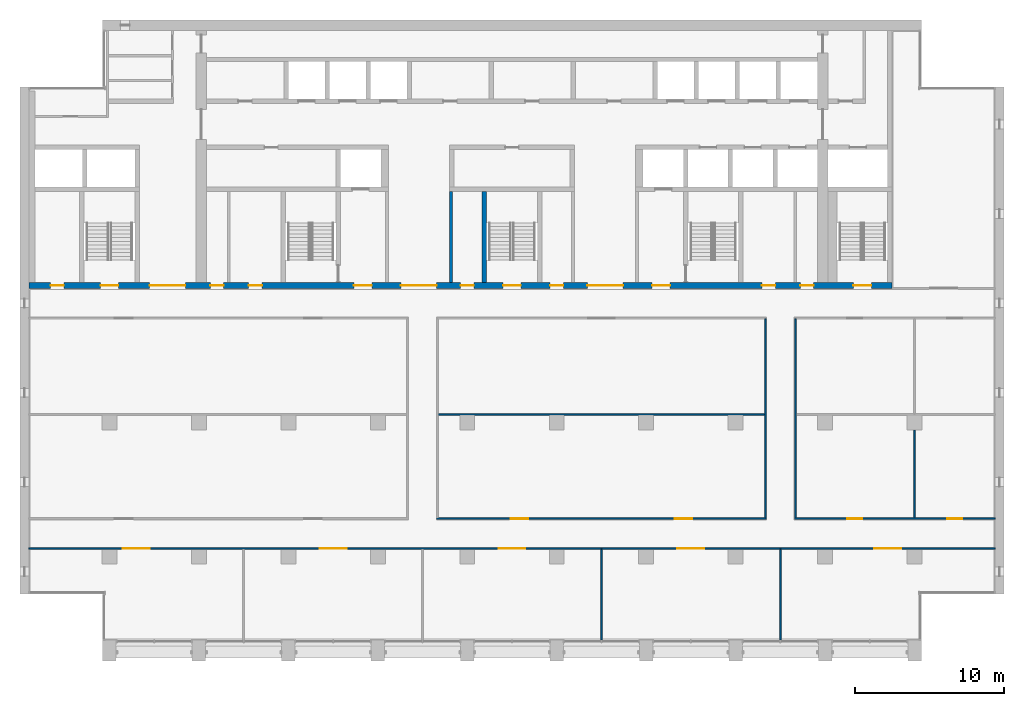
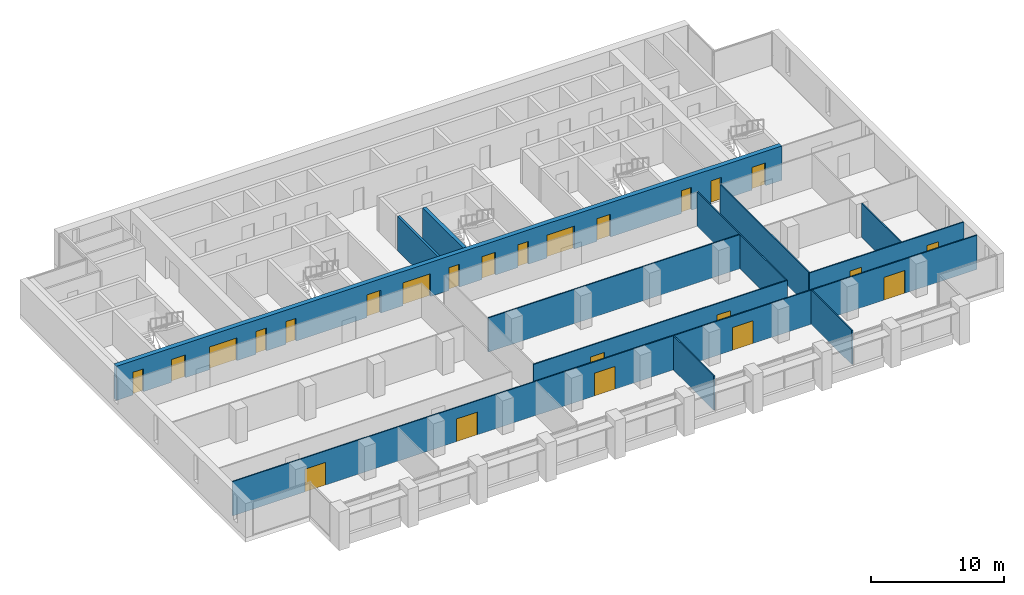
# One storey, part 9 of 16: 24 doors, 12 walls, 24 openings.
"""IFC4 building model written with IfcOpenShell, lengths in metres."""

from ifc_helpers import new_model, si_unit, direction, frame, frame_2d, origin, place, context, subcontext, project, spatial, rectangle, extrude, material, layer, layer_set, type_object, element, fill, save


model = new_model("IFC4")

# Units and contexts
model_context = context("Model", 3, precision=1e-05, world=origin(), true_north=direction((0.0, 1.0)))
body_context = subcontext(model_context, "Body", "Model", "MODEL_VIEW")
ifc_project = project(units=[si_unit("LENGTHUNIT", "METRE"), si_unit("AREAUNIT", "SQUARE_METRE"), si_unit("VOLUMEUNIT", "CUBIC_METRE"), si_unit("PLANEANGLEUNIT", "RADIAN"), si_unit("MASSUNIT", "GRAM", prefix="KILO")], contexts=[model_context])

# Site, building, storey
site_placement = place(None, origin())
site = spatial("IfcSite", under=ifc_project, at=site_placement, CompositionType="ELEMENT")
building_placement = place(site_placement, origin())
building = spatial("IfcBuilding", under=site, at=building_placement, Name="Calvaro Tower", CompositionType="ELEMENT")
storey_placement = place(building_placement, frame((0.0, 0.0, 223.0)))
storey = spatial("IfcBuildingStorey", under=building, at=storey_placement, Name="L56", CompositionType="ELEMENT", Elevation=223.0)

# Walls
ifc_material_1 = material(Name="Blockwork partition", Category="masonry")
ifc_layer_1 = layer(ifc_material_1, 0.199951171875)
ifc_layer_set_1 = layer_set([ifc_layer_1], Name="Blockwork partition")
wall_type_1 = type_object("IfcWallType", Name="Core partition 200 REI 120", PredefinedType="PARTITIONING", material=ifc_layer_set_1)
wall_1_placement = place(storey_placement, frame((34.89990234375, 28.39990234375, 0.0), z_axis=(0.0, 0.0, 1.0), x_axis=(0.0, 1.0, 0.0)))
element("IfcWall", 1, at=wall_1_placement, inside=storey, type_object=wall_type_1, Name="Core partition", PredefinedType="PARTITIONING", context=body_context, shape_type="SweptSolid", body=[
    extrude(rectangle(XDim=6.10009765625, YDim=0.199951171875, at=frame_2d((3.050048828125, 0.0))), origin(), (0.0, 0.0, 1.0), 3.14990234375),
])
ifc_material_2 = material(Name="Concrete C50/60", Category="concrete")
ifc_layer_2 = layer(ifc_material_2, 0.300048828125)
ifc_layer_set_2 = layer_set([ifc_layer_2], Name="Concrete C50/60")
wall_type_2 = type_object("IfcWallType", Name="Core wall C50/60 300", PredefinedType="SHEAR", material=ifc_layer_set_2)
wall_2_placement = place(storey_placement, frame((37.14990234375, 28.39990234375, 0.0), z_axis=(0.0, 0.0, 1.0), x_axis=(0.0, 1.0, 0.0)))
element("IfcWall", 2, at=wall_2_placement, inside=storey, type_object=wall_type_2, Name="Core wall, stair enclosure", PredefinedType="SHEAR", context=body_context, shape_type="SweptSolid", body=[
    extrude(rectangle(XDim=6.10009765625, YDim=0.300048828125, at=frame_2d((3.050048828125, 0.0))), origin(), (0.0, 0.0, 1.0), 3.14990234375),
])

# Wall, openings, doors
ifc_material_3 = material(Name="Concrete C50/60", Category="concrete")
ifc_layer_3 = layer(ifc_material_3, 0.39990234375)
ifc_layer_set_3 = layer_set([ifc_layer_3], Name="Concrete C50/60")
wall_type_3 = type_object("IfcWallType", Name="Core wall C50/60 400", PredefinedType="SHEAR", material=ifc_layer_set_3)
wall_3_placement = place(storey_placement, frame((6.60009765625, 28.199951171875, 0.0), z_axis=(0.0, 0.0, 1.0), x_axis=(1.0, 0.0, 0.0)))
wall_3 = element("IfcWall", 3, at=wall_3_placement, inside=storey, type_object=wall_type_3, Name="Core wall, front", PredefinedType="SHEAR", context=body_context, shape_type="SweptSolid", body=[
    extrude(rectangle(XDim=57.89990234375, YDim=0.39990234375, at=frame_2d((28.949951171875, 0.0))), origin(), (0.0, 0.0, 1.0), 3.14990234375),
])
opening_1_placement = place(wall_3_placement, frame((12.16259765625, 0.0, 0.0)))
opening_1 = element("IfcOpeningElement", 4, at=opening_1_placement, cuts=wall_3, Name="Opening RD9C", PredefinedType="OPENING", context=body_context, shape_type="SweptSolid", body=[
    extrude(rectangle(XDim=0.89990234375, YDim=2.10009765625, at=frame_2d((0.449951171875, 1.050048828125))), frame((0.0, 0.2099609375, 0.0), z_axis=(0.0, -1.0, 0.0), x_axis=(1.0, 0.0, 0.0)), (0.0, 0.0, 1.0), 0.419921875),
])
opening_2_placement = place(wall_3_placement, frame((14.737548828125, 0.0, 0.0)))
opening_2 = element("IfcOpeningElement", 5, at=opening_2_placement, cuts=wall_3, Name="Opening RD9E", PredefinedType="OPENING", context=body_context, shape_type="SweptSolid", body=[
    extrude(rectangle(XDim=0.89990234375, YDim=2.10009765625, at=frame_2d((0.449951171875, 1.050048828125))), frame((0.0, 0.2099609375, 0.0), z_axis=(0.0, -1.0, 0.0), x_axis=(1.0, 0.0, 0.0)), (0.0, 0.0, 1.0), 0.419921875),
])
opening_3_placement = place(wall_3_placement, frame((49.16259765625, 0.0, 0.0)))
opening_3 = element("IfcOpeningElement", 6, at=opening_3_placement, cuts=wall_3, Name="Opening RD9E", PredefinedType="OPENING", context=body_context, shape_type="SweptSolid", body=[
    extrude(rectangle(XDim=0.89990234375, YDim=2.10009765625, at=frame_2d((0.449951171875, 1.050048828125))), frame((0.0, 0.2099609375, 0.0), z_axis=(0.0, -1.0, 0.0), x_axis=(1.0, 0.0, 0.0)), (0.0, 0.0, 1.0), 0.419921875),
])
opening_4_placement = place(wall_3_placement, frame((51.737548828125, 0.0, 0.0)))
opening_4 = element("IfcOpeningElement", 7, at=opening_4_placement, cuts=wall_3, Name="Opening RD9C", PredefinedType="OPENING", context=body_context, shape_type="SweptSolid", body=[
    extrude(rectangle(XDim=0.89990234375, YDim=2.10009765625, at=frame_2d((0.449951171875, 1.050048828125))), frame((0.0, 0.2099609375, 0.0), z_axis=(0.0, -1.0, 0.0), x_axis=(1.0, 0.0, 0.0)), (0.0, 0.0, 1.0), 0.419921875),
])
opening_5_placement = place(wall_3_placement, frame((1.449951171875, 0.0, 0.0)))
opening_5 = element("IfcOpeningElement", 8, at=opening_5_placement, cuts=wall_3, Name="Opening RD9E", PredefinedType="OPENING", context=body_context, shape_type="SweptSolid", body=[
    extrude(rectangle(XDim=0.89990234375, YDim=2.10009765625, at=frame_2d((0.449951171875, 1.050048828125))), frame((0.0, 0.2099609375, 0.0), z_axis=(0.0, -1.0, 0.0), x_axis=(1.0, 0.0, 0.0)), (0.0, 0.0, 1.0), 0.419921875),
])
opening_6_placement = place(wall_3_placement, frame((4.800048828125, 0.0, 0.0)))
opening_6 = element("IfcOpeningElement", 9, at=opening_6_placement, cuts=wall_3, Name="Opening SD12D", PredefinedType="OPENING", context=body_context, shape_type="SweptSolid", body=[
    extrude(rectangle(XDim=1.199951171875, YDim=2.10009765625, at=frame_2d((0.60009765625, 1.050048828125))), frame((0.0, 0.2099609375, 0.0), z_axis=(0.0, -1.0, 0.0), x_axis=(1.0, 0.0, 0.0)), (0.0, 0.0, 1.0), 0.419921875),
])
opening_7_placement = place(wall_3_placement, frame((31.800048828125, 0.0, 0.0)))
opening_7 = element("IfcOpeningElement", 10, at=opening_7_placement, cuts=wall_3, Name="Opening SD12D", PredefinedType="OPENING", context=body_context, shape_type="SweptSolid", body=[
    extrude(rectangle(XDim=1.199951171875, YDim=2.10009765625, at=frame_2d((0.60009765625, 1.050048828125))), frame((0.0, 0.2099609375, 0.0), z_axis=(0.0, -1.0, 0.0), x_axis=(1.0, 0.0, 0.0)), (0.0, 0.0, 1.0), 0.419921875),
])
opening_8_placement = place(wall_3_placement, frame((55.300048828125, 0.0, 0.0)))
opening_8 = element("IfcOpeningElement", 11, at=opening_8_placement, cuts=wall_3, Name="Opening SD12D", PredefinedType="OPENING", context=body_context, shape_type="SweptSolid", body=[
    extrude(rectangle(XDim=1.199951171875, YDim=2.10009765625, at=frame_2d((0.60009765625, 1.050048828125))), frame((0.0, 0.2099609375, 0.0), z_axis=(0.0, -1.0, 0.0), x_axis=(1.0, 0.0, 0.0)), (0.0, 0.0, 1.0), 0.419921875),
])
opening_9_placement = place(wall_3_placement, frame((21.800048828125, 0.0, 0.0)))
opening_9 = element("IfcOpeningElement", 12, at=opening_9_placement, cuts=wall_3, Name="Opening FD12F", PredefinedType="OPENING", context=body_context, shape_type="SweptSolid", body=[
    extrude(rectangle(XDim=1.199951171875, YDim=2.10009765625, at=frame_2d((0.60009765625, 1.050048828125))), frame((0.0, 0.2099609375, 0.0), z_axis=(0.0, -1.0, 0.0), x_axis=(1.0, 0.0, 0.0)), (0.0, 0.0, 1.0), 0.419921875),
])
opening_10_placement = place(wall_3_placement, frame((41.800048828125, 0.0, 0.0)))
opening_10 = element("IfcOpeningElement", 13, at=opening_10_placement, cuts=wall_3, Name="Opening FD12F", PredefinedType="OPENING", context=body_context, shape_type="SweptSolid", body=[
    extrude(rectangle(XDim=1.199951171875, YDim=2.10009765625, at=frame_2d((0.60009765625, 1.050048828125))), frame((0.0, 0.2099609375, 0.0), z_axis=(0.0, -1.0, 0.0), x_axis=(1.0, 0.0, 0.0)), (0.0, 0.0, 1.0), 0.419921875),
])
opening_11_placement = place(wall_3_placement, frame((24.949951171875, 0.0, 0.0)))
opening_11 = element("IfcOpeningElement", 14, at=opening_11_placement, cuts=wall_3, Name="Opening DD24D", PredefinedType="OPENING", context=body_context, shape_type="SweptSolid", body=[
    extrude(rectangle(XDim=2.39990234375, YDim=2.10009765625, at=frame_2d((1.199951171875, 1.050048828125))), frame((0.0, 0.2099609375, 0.0), z_axis=(0.0, -1.0, 0.0), x_axis=(1.0, 0.0, 0.0)), (0.0, 0.0, 1.0), 0.419921875),
])
opening_12_placement = place(wall_3_placement, frame((37.449951171875, 0.0, 0.0)))
opening_12 = element("IfcOpeningElement", 15, at=opening_12_placement, cuts=wall_3, Name="Opening DD24D", PredefinedType="OPENING", context=body_context, shape_type="SweptSolid", body=[
    extrude(rectangle(XDim=2.39990234375, YDim=2.10009765625, at=frame_2d((1.199951171875, 1.050048828125))), frame((0.0, 0.2099609375, 0.0), z_axis=(0.0, -1.0, 0.0), x_axis=(1.0, 0.0, 0.0)), (0.0, 0.0, 1.0), 0.419921875),
])
opening_13_placement = place(wall_3_placement, frame((8.10009765625, 0.0, 0.0)))
opening_13 = element("IfcOpeningElement", 16, at=opening_13_placement, cuts=wall_3, Name="Opening DD24D", PredefinedType="OPENING", context=body_context, shape_type="SweptSolid", body=[
    extrude(rectangle(XDim=2.39990234375, YDim=2.10009765625, at=frame_2d((1.199951171875, 1.050048828125))), frame((0.0, 0.2099609375, 0.0), z_axis=(0.0, -1.0, 0.0), x_axis=(1.0, 0.0, 0.0)), (0.0, 0.0, 1.0), 0.419921875),
])
opening_14_placement = place(wall_3_placement, frame((28.949951171875, 0.0, 0.0)))
opening_14 = element("IfcOpeningElement", 17, at=opening_14_placement, cuts=wall_3, Name="Opening RD9E", PredefinedType="OPENING", context=body_context, shape_type="SweptSolid", body=[
    extrude(rectangle(XDim=0.89990234375, YDim=2.10009765625, at=frame_2d((0.449951171875, 1.050048828125))), frame((0.0, 0.2099609375, 0.0), z_axis=(0.0, -1.0, 0.0), x_axis=(1.0, 0.0, 0.0)), (0.0, 0.0, 1.0), 0.419921875),
])
opening_15_placement = place(wall_3_placement, frame((34.949951171875, 0.0, 0.0)))
opening_15 = element("IfcOpeningElement", 18, at=opening_15_placement, cuts=wall_3, Name="Opening RD9E", PredefinedType="OPENING", context=body_context, shape_type="SweptSolid", body=[
    extrude(rectangle(XDim=0.89990234375, YDim=2.10009765625, at=frame_2d((0.449951171875, 1.050048828125))), frame((0.0, 0.2099609375, 0.0), z_axis=(0.0, -1.0, 0.0), x_axis=(1.0, 0.0, 0.0)), (0.0, 0.0, 1.0), 0.419921875),
])
ifc_material_4 = material(Name="Steel door set", Category="steel")
door_type_1 = type_object("IfcDoorType", Name="Fire door 1200 FD60S", OperationType="SINGLE_SWING_LEFT", PredefinedType="DOOR", material=ifc_material_4)
door_1_placement = place(opening_9_placement, origin())
door_1 = element("IfcDoor", 19, at=door_1_placement, inside=storey, type_object=door_type_1, Name="Fire door", OperationType="SINGLE_SWING_LEFT", OverallHeight=2.10009765625, OverallWidth=1.199951171875, PredefinedType="DOOR", context=body_context, shape_type="SweptSolid", body=[
    extrude(rectangle(XDim=1.199951171875, YDim=2.10009765625, at=frame_2d((0.60009765625, 1.050048828125))), frame((0.0, 0.02490234375, 0.0), z_axis=(0.0, -1.0, 0.0), x_axis=(1.0, 0.0, 0.0)), (0.0, 0.0, 1.0), 0.050048828125),
])
fill(opening_9, door_1)
door_2_placement = place(opening_10_placement, origin())
door_2 = element("IfcDoor", 20, at=door_2_placement, inside=storey, type_object=door_type_1, Name="Fire door", OperationType="SINGLE_SWING_LEFT", OverallHeight=2.10009765625, OverallWidth=1.199951171875, PredefinedType="DOOR", context=body_context, shape_type="SweptSolid", body=[
    extrude(rectangle(XDim=1.199951171875, YDim=2.10009765625, at=frame_2d((0.60009765625, 1.050048828125))), frame((0.0, 0.02490234375, 0.0), z_axis=(0.0, -1.0, 0.0), x_axis=(1.0, 0.0, 0.0)), (0.0, 0.0, 1.0), 0.050048828125),
])
fill(opening_10, door_2)
ifc_material_5 = material(Name="Steel door set", Category="steel")
door_type_2 = type_object("IfcDoorType", Name="Lobby double door 2400 FD30S", OperationType="DOUBLE_DOOR_SINGLE_SWING", PredefinedType="DOOR", material=ifc_material_5)
door_3_placement = place(opening_11_placement, origin())
door_3 = element("IfcDoor", 21, at=door_3_placement, inside=storey, type_object=door_type_2, Name="Lobby double door", OperationType="DOUBLE_DOOR_SINGLE_SWING", OverallHeight=2.10009765625, OverallWidth=2.39990234375, PredefinedType="DOOR", context=body_context, shape_type="SweptSolid", body=[
    extrude(rectangle(XDim=2.39990234375, YDim=2.10009765625, at=frame_2d((1.199951171875, 1.050048828125))), frame((0.0, 0.02490234375, 0.0), z_axis=(0.0, -1.0, 0.0), x_axis=(1.0, 0.0, 0.0)), (0.0, 0.0, 1.0), 0.050048828125),
])
fill(opening_11, door_3)
door_4_placement = place(opening_12_placement, origin())
door_4 = element("IfcDoor", 22, at=door_4_placement, inside=storey, type_object=door_type_2, Name="Lobby double door", OperationType="DOUBLE_DOOR_SINGLE_SWING", OverallHeight=2.10009765625, OverallWidth=2.39990234375, PredefinedType="DOOR", context=body_context, shape_type="SweptSolid", body=[
    extrude(rectangle(XDim=2.39990234375, YDim=2.10009765625, at=frame_2d((1.199951171875, 1.050048828125))), frame((0.0, 0.02490234375, 0.0), z_axis=(0.0, -1.0, 0.0), x_axis=(1.0, 0.0, 0.0)), (0.0, 0.0, 1.0), 0.050048828125),
])
fill(opening_12, door_4)
door_5_placement = place(opening_13_placement, origin())
door_5 = element("IfcDoor", 23, at=door_5_placement, inside=storey, type_object=door_type_2, Name="Lobby double door", OperationType="DOUBLE_DOOR_SINGLE_SWING", OverallHeight=2.10009765625, OverallWidth=2.39990234375, PredefinedType="DOOR", context=body_context, shape_type="SweptSolid", body=[
    extrude(rectangle(XDim=2.39990234375, YDim=2.10009765625, at=frame_2d((1.199951171875, 1.050048828125))), frame((0.0, 0.02490234375, 0.0), z_axis=(0.0, -1.0, 0.0), x_axis=(1.0, 0.0, 0.0)), (0.0, 0.0, 1.0), 0.050048828125),
])
fill(opening_13, door_5)
ifc_material_6 = material(Name="Steel door set", Category="steel")
door_type_3 = type_object("IfcDoorType", Name="Room door 900 FD30", OperationType="SINGLE_SWING_LEFT", PredefinedType="DOOR", material=ifc_material_6)
door_6_placement = place(opening_1_placement, origin())
door_6 = element("IfcDoor", 24, at=door_6_placement, inside=storey, type_object=door_type_3, Name="Room door", OperationType="SINGLE_SWING_LEFT", OverallHeight=2.10009765625, OverallWidth=0.89990234375, PredefinedType="DOOR", context=body_context, shape_type="SweptSolid", body=[
    extrude(rectangle(XDim=0.89990234375, YDim=2.10009765625, at=frame_2d((0.449951171875, 1.050048828125))), frame((0.0, 0.02490234375, 0.0), z_axis=(0.0, -1.0, 0.0), x_axis=(1.0, 0.0, 0.0)), (0.0, 0.0, 1.0), 0.050048828125),
])
fill(opening_1, door_6)
door_7_placement = place(opening_4_placement, origin())
door_7 = element("IfcDoor", 25, at=door_7_placement, inside=storey, type_object=door_type_3, Name="Room door", OperationType="SINGLE_SWING_LEFT", OverallHeight=2.10009765625, OverallWidth=0.89990234375, PredefinedType="DOOR", context=body_context, shape_type="SweptSolid", body=[
    extrude(rectangle(XDim=0.89990234375, YDim=2.10009765625, at=frame_2d((0.449951171875, 1.050048828125))), frame((0.0, 0.02490234375, 0.0), z_axis=(0.0, -1.0, 0.0), x_axis=(1.0, 0.0, 0.0)), (0.0, 0.0, 1.0), 0.050048828125),
])
fill(opening_4, door_7)
ifc_material_7 = material(Name="Steel door set", Category="steel")
door_type_4 = type_object("IfcDoorType", Name="Room door 900 FD60", OperationType="SINGLE_SWING_LEFT", PredefinedType="DOOR", material=ifc_material_7)
door_8_placement = place(opening_2_placement, origin())
door_8 = element("IfcDoor", 26, at=door_8_placement, inside=storey, type_object=door_type_4, Name="Room door", OperationType="SINGLE_SWING_RIGHT", OverallHeight=2.10009765625, OverallWidth=0.89990234375, PredefinedType="DOOR", context=body_context, shape_type="SweptSolid", body=[
    extrude(rectangle(XDim=0.89990234375, YDim=2.10009765625, at=frame_2d((0.449951171875, 1.050048828125))), frame((0.0, 0.02490234375, 0.0), z_axis=(0.0, -1.0, 0.0), x_axis=(1.0, 0.0, 0.0)), (0.0, 0.0, 1.0), 0.050048828125),
])
fill(opening_2, door_8)
door_9_placement = place(opening_3_placement, origin())
door_9 = element("IfcDoor", 27, at=door_9_placement, inside=storey, type_object=door_type_4, Name="Room door", OperationType="SINGLE_SWING_LEFT", OverallHeight=2.10009765625, OverallWidth=0.89990234375, PredefinedType="DOOR", context=body_context, shape_type="SweptSolid", body=[
    extrude(rectangle(XDim=0.89990234375, YDim=2.10009765625, at=frame_2d((0.449951171875, 1.050048828125))), frame((0.0, 0.02490234375, 0.0), z_axis=(0.0, -1.0, 0.0), x_axis=(1.0, 0.0, 0.0)), (0.0, 0.0, 1.0), 0.050048828125),
])
fill(opening_3, door_9)
door_10_placement = place(opening_5_placement, origin())
door_10 = element("IfcDoor", 28, at=door_10_placement, inside=storey, type_object=door_type_4, Name="Room door", OperationType="SINGLE_SWING_LEFT", OverallHeight=2.10009765625, OverallWidth=0.89990234375, PredefinedType="DOOR", context=body_context, shape_type="SweptSolid", body=[
    extrude(rectangle(XDim=0.89990234375, YDim=2.10009765625, at=frame_2d((0.449951171875, 1.050048828125))), frame((0.0, 0.02490234375, 0.0), z_axis=(0.0, -1.0, 0.0), x_axis=(1.0, 0.0, 0.0)), (0.0, 0.0, 1.0), 0.050048828125),
])
fill(opening_5, door_10)
door_11_placement = place(opening_14_placement, origin())
door_11 = element("IfcDoor", 29, at=door_11_placement, inside=storey, type_object=door_type_4, Name="Room door", OperationType="SINGLE_SWING_LEFT", OverallHeight=2.10009765625, OverallWidth=0.89990234375, PredefinedType="DOOR", context=body_context, shape_type="SweptSolid", body=[
    extrude(rectangle(XDim=0.89990234375, YDim=2.10009765625, at=frame_2d((0.449951171875, 1.050048828125))), frame((0.0, 0.02490234375, 0.0), z_axis=(0.0, -1.0, 0.0), x_axis=(1.0, 0.0, 0.0)), (0.0, 0.0, 1.0), 0.050048828125),
])
fill(opening_14, door_11)
door_12_placement = place(opening_15_placement, origin())
door_12 = element("IfcDoor", 30, at=door_12_placement, inside=storey, type_object=door_type_4, Name="Room door", OperationType="SINGLE_SWING_LEFT", OverallHeight=2.10009765625, OverallWidth=0.89990234375, PredefinedType="DOOR", context=body_context, shape_type="SweptSolid", body=[
    extrude(rectangle(XDim=0.89990234375, YDim=2.10009765625, at=frame_2d((0.449951171875, 1.050048828125))), frame((0.0, 0.02490234375, 0.0), z_axis=(0.0, -1.0, 0.0), x_axis=(1.0, 0.0, 0.0)), (0.0, 0.0, 1.0), 0.050048828125),
])
fill(opening_15, door_12)
ifc_material_8 = material(Name="Steel door set", Category="steel")
door_type_5 = type_object("IfcDoorType", Name="Stair door 1200 FD30S", OperationType="SINGLE_SWING_LEFT", PredefinedType="DOOR", material=ifc_material_8)
door_13_placement = place(opening_6_placement, origin())
door_13 = element("IfcDoor", 31, at=door_13_placement, inside=storey, type_object=door_type_5, Name="Stair door", OperationType="SINGLE_SWING_LEFT", OverallHeight=2.10009765625, OverallWidth=1.199951171875, PredefinedType="DOOR", context=body_context, shape_type="SweptSolid", body=[
    extrude(rectangle(XDim=1.199951171875, YDim=2.10009765625, at=frame_2d((0.60009765625, 1.050048828125))), frame((0.0, 0.02490234375, 0.0), z_axis=(0.0, -1.0, 0.0), x_axis=(1.0, 0.0, 0.0)), (0.0, 0.0, 1.0), 0.050048828125),
])
fill(opening_6, door_13)
door_14_placement = place(opening_7_placement, origin())
door_14 = element("IfcDoor", 32, at=door_14_placement, inside=storey, type_object=door_type_5, Name="Stair door", OperationType="SINGLE_SWING_LEFT", OverallHeight=2.10009765625, OverallWidth=1.199951171875, PredefinedType="DOOR", context=body_context, shape_type="SweptSolid", body=[
    extrude(rectangle(XDim=1.199951171875, YDim=2.10009765625, at=frame_2d((0.60009765625, 1.050048828125))), frame((0.0, 0.02490234375, 0.0), z_axis=(0.0, -1.0, 0.0), x_axis=(1.0, 0.0, 0.0)), (0.0, 0.0, 1.0), 0.050048828125),
])
fill(opening_7, door_14)
door_15_placement = place(opening_8_placement, origin())
door_15 = element("IfcDoor", 33, at=door_15_placement, inside=storey, type_object=door_type_5, Name="Stair door", OperationType="SINGLE_SWING_LEFT", OverallHeight=2.10009765625, OverallWidth=1.199951171875, PredefinedType="DOOR", context=body_context, shape_type="SweptSolid", body=[
    extrude(rectangle(XDim=1.199951171875, YDim=2.10009765625, at=frame_2d((0.60009765625, 1.050048828125))), frame((0.0, 0.02490234375, 0.0), z_axis=(0.0, -1.0, 0.0), x_axis=(1.0, 0.0, 0.0)), (0.0, 0.0, 1.0), 0.050048828125),
])
fill(opening_8, door_15)

ifc_material_9 = material(Name="Plasterboard on steel studs", Category="steel")
ifc_layer_4 = layer(ifc_material_9, 0.10009765625)
ifc_layer_set_4 = layer_set([ifc_layer_4], Name="Plasterboard on steel studs")
wall_type_4 = type_object("IfcWallType", Name="Partition 100", PredefinedType="PARTITIONING", material=ifc_layer_set_4)
wall_4_placement = place(storey_placement, frame((6.60009765625, 10.550048828125, 0.0), z_axis=(0.0, 0.0, 1.0), x_axis=(1.0, 0.0, 0.0)))
wall_4 = element("IfcWall", 34, at=wall_4_placement, inside=storey, type_object=wall_type_4, Name="Partition T32.W001", PredefinedType="PARTITIONING", context=body_context, shape_type="SweptSolid", body=[
    extrude(rectangle(XDim=64.7998046875, YDim=0.10009765625, at=frame_2d((32.39990234375, 0.0))), origin(), (0.0, 0.0, 1.0), 3.14990234375),
])
opening_16_placement = place(wall_4_placement, frame((19.5, 0.0, 0.0)))
opening_16 = element("IfcOpeningElement", 35, at=opening_16_placement, cuts=wall_4, Name="Opening T32.001", PredefinedType="OPENING", context=body_context, shape_type="SweptSolid", body=[
    extrude(rectangle(XDim=1.800048828125, YDim=2.10009765625, at=frame_2d((0.89990234375, 1.050048828125))), frame((0.0, 0.06005859375, 0.0), z_axis=(0.0, -1.0, 0.0), x_axis=(1.0, 0.0, 0.0)), (0.0, 0.0, 1.0), 0.1201171875),
])
opening_17_placement = place(wall_4_placement, frame((31.5, 0.0, 0.0)))
opening_17 = element("IfcOpeningElement", 36, at=opening_17_placement, cuts=wall_4, Name="Opening T32.002", PredefinedType="OPENING", context=body_context, shape_type="SweptSolid", body=[
    extrude(rectangle(XDim=1.800048828125, YDim=2.10009765625, at=frame_2d((0.89990234375, 1.050048828125))), frame((0.0, 0.06005859375, 0.0), z_axis=(0.0, -1.0, 0.0), x_axis=(1.0, 0.0, 0.0)), (0.0, 0.0, 1.0), 0.1201171875),
])
opening_18_placement = place(wall_4_placement, frame((43.5, 0.0, 0.0)))
opening_18 = element("IfcOpeningElement", 37, at=opening_18_placement, cuts=wall_4, Name="Opening T32.003", PredefinedType="OPENING", context=body_context, shape_type="SweptSolid", body=[
    extrude(rectangle(XDim=1.800048828125, YDim=2.10009765625, at=frame_2d((0.89990234375, 1.050048828125))), frame((0.0, 0.06005859375, 0.0), z_axis=(0.0, -1.0, 0.0), x_axis=(1.0, 0.0, 0.0)), (0.0, 0.0, 1.0), 0.1201171875),
])
opening_19_placement = place(wall_4_placement, frame((6.300048828125, 0.0, 0.0)))
opening_19 = element("IfcOpeningElement", 38, at=opening_19_placement, cuts=wall_4, Name="Opening T32.004", PredefinedType="OPENING", context=body_context, shape_type="SweptSolid", body=[
    extrude(rectangle(XDim=1.800048828125, YDim=2.10009765625, at=frame_2d((0.89990234375, 1.050048828125))), frame((0.0, 0.06005859375, 0.0), z_axis=(0.0, -1.0, 0.0), x_axis=(1.0, 0.0, 0.0)), (0.0, 0.0, 1.0), 0.1201171875),
])
opening_20_placement = place(wall_4_placement, frame((56.699951171875, 0.0, 0.0)))
opening_20 = element("IfcOpeningElement", 39, at=opening_20_placement, cuts=wall_4, Name="Opening T32.005", PredefinedType="OPENING", context=body_context, shape_type="SweptSolid", body=[
    extrude(rectangle(XDim=1.800048828125, YDim=2.10009765625, at=frame_2d((0.89990234375, 1.050048828125))), frame((0.0, 0.06005859375, 0.0), z_axis=(0.0, -1.0, 0.0), x_axis=(1.0, 0.0, 0.0)), (0.0, 0.0, 1.0), 0.1201171875),
])
ifc_material_10 = material(Name="Timber", Category="wood")
door_type_6 = type_object("IfcDoorType", Name="Internal double door 1800 x 2100", OperationType="DOUBLE_DOOR_SINGLE_SWING", PredefinedType="DOOR", material=ifc_material_10)
door_16_placement = place(opening_16_placement, origin())
door_16 = element("IfcDoor", 40, at=door_16_placement, inside=storey, type_object=door_type_6, Name="Door T32.001", OperationType="DOUBLE_DOOR_SINGLE_SWING", OverallHeight=2.10009765625, OverallWidth=1.800048828125, PredefinedType="DOOR", context=body_context, shape_type="SweptSolid", body=[
    extrude(rectangle(XDim=1.800048828125, YDim=2.10009765625, at=frame_2d((0.89990234375, 1.050048828125))), frame((0.0, 0.02490234375, 0.0), z_axis=(0.0, -1.0, 0.0), x_axis=(1.0, 0.0, 0.0)), (0.0, 0.0, 1.0), 0.050048828125),
])
fill(opening_16, door_16)
door_17_placement = place(opening_17_placement, origin())
door_17 = element("IfcDoor", 41, at=door_17_placement, inside=storey, type_object=door_type_6, Name="Door T32.002", OperationType="DOUBLE_DOOR_SINGLE_SWING", OverallHeight=2.10009765625, OverallWidth=1.800048828125, PredefinedType="DOOR", context=body_context, shape_type="SweptSolid", body=[
    extrude(rectangle(XDim=1.800048828125, YDim=2.10009765625, at=frame_2d((0.89990234375, 1.050048828125))), frame((0.0, 0.02490234375, 0.0), z_axis=(0.0, -1.0, 0.0), x_axis=(1.0, 0.0, 0.0)), (0.0, 0.0, 1.0), 0.050048828125),
])
fill(opening_17, door_17)
door_18_placement = place(opening_18_placement, origin())
door_18 = element("IfcDoor", 42, at=door_18_placement, inside=storey, type_object=door_type_6, Name="Door T32.003", OperationType="DOUBLE_DOOR_SINGLE_SWING", OverallHeight=2.10009765625, OverallWidth=1.800048828125, PredefinedType="DOOR", context=body_context, shape_type="SweptSolid", body=[
    extrude(rectangle(XDim=1.800048828125, YDim=2.10009765625, at=frame_2d((0.89990234375, 1.050048828125))), frame((0.0, 0.02490234375, 0.0), z_axis=(0.0, -1.0, 0.0), x_axis=(1.0, 0.0, 0.0)), (0.0, 0.0, 1.0), 0.050048828125),
])
fill(opening_18, door_18)
door_19_placement = place(opening_19_placement, origin())
door_19 = element("IfcDoor", 43, at=door_19_placement, inside=storey, type_object=door_type_6, Name="Door T32.004", OperationType="DOUBLE_DOOR_SINGLE_SWING", OverallHeight=2.10009765625, OverallWidth=1.800048828125, PredefinedType="DOOR", context=body_context, shape_type="SweptSolid", body=[
    extrude(rectangle(XDim=1.800048828125, YDim=2.10009765625, at=frame_2d((0.89990234375, 1.050048828125))), frame((0.0, 0.02490234375, 0.0), z_axis=(0.0, -1.0, 0.0), x_axis=(1.0, 0.0, 0.0)), (0.0, 0.0, 1.0), 0.050048828125),
])
fill(opening_19, door_19)
door_20_placement = place(opening_20_placement, origin())
door_20 = element("IfcDoor", 44, at=door_20_placement, inside=storey, type_object=door_type_6, Name="Door T32.005", OperationType="DOUBLE_DOOR_SINGLE_SWING", OverallHeight=2.10009765625, OverallWidth=1.800048828125, PredefinedType="DOOR", context=body_context, shape_type="SweptSolid", body=[
    extrude(rectangle(XDim=1.800048828125, YDim=2.10009765625, at=frame_2d((0.89990234375, 1.050048828125))), frame((0.0, 0.02490234375, 0.0), z_axis=(0.0, -1.0, 0.0), x_axis=(1.0, 0.0, 0.0)), (0.0, 0.0, 1.0), 0.050048828125),
])
fill(opening_20, door_20)

wall_5_placement = place(storey_placement, frame((33.949951171875, 12.550048828125, 0.0), z_axis=(0.0, 0.0, 1.0), x_axis=(1.0, 0.0, 0.0)))
wall_5 = element("IfcWall", 45, at=wall_5_placement, inside=storey, type_object=wall_type_4, Name="Partition T32.W003", PredefinedType="PARTITIONING", context=body_context, shape_type="SweptSolid", body=[
    extrude(rectangle(XDim=22.10009765625, YDim=0.10009765625, at=frame_2d((11.050048828125, 0.0))), origin(), (0.0, 0.0, 1.0), 3.14990234375),
])
opening_21_placement = place(wall_5_placement, frame((4.949951171875, 0.0, 0.0)))
opening_21 = element("IfcOpeningElement", 46, at=opening_21_placement, cuts=wall_5, Name="Opening T32.008", PredefinedType="OPENING", context=body_context, shape_type="SweptSolid", body=[
    extrude(rectangle(XDim=1.199951171875, YDim=2.10009765625, at=frame_2d((0.60009765625, 1.050048828125))), frame((0.0, 0.06005859375, 0.0), z_axis=(0.0, -1.0, 0.0), x_axis=(1.0, 0.0, 0.0)), (0.0, 0.0, 1.0), 0.1201171875),
])
opening_22_placement = place(wall_5_placement, frame((15.949951171875, 0.0, 0.0)))
opening_22 = element("IfcOpeningElement", 47, at=opening_22_placement, cuts=wall_5, Name="Opening T32.009", PredefinedType="OPENING", context=body_context, shape_type="SweptSolid", body=[
    extrude(rectangle(XDim=1.199951171875, YDim=2.10009765625, at=frame_2d((0.60009765625, 1.050048828125))), frame((0.0, 0.06005859375, 0.0), z_axis=(0.0, -1.0, 0.0), x_axis=(1.0, 0.0, 0.0)), (0.0, 0.0, 1.0), 0.1201171875),
])
ifc_material_11 = material(Name="Timber", Category="wood")
door_type_7 = type_object("IfcDoorType", Name="Internal single door 1200 x 2100", OperationType="SINGLE_SWING_LEFT", PredefinedType="DOOR", material=ifc_material_11)
door_21_placement = place(opening_21_placement, origin())
door_21 = element("IfcDoor", 48, at=door_21_placement, inside=storey, type_object=door_type_7, Name="Door T32.008", OperationType="SINGLE_SWING_LEFT", OverallHeight=2.10009765625, OverallWidth=1.199951171875, PredefinedType="DOOR", context=body_context, shape_type="SweptSolid", body=[
    extrude(rectangle(XDim=1.199951171875, YDim=2.10009765625, at=frame_2d((0.60009765625, 1.050048828125))), frame((0.0, 0.02490234375, 0.0), z_axis=(0.0, -1.0, 0.0), x_axis=(1.0, 0.0, 0.0)), (0.0, 0.0, 1.0), 0.050048828125),
])
fill(opening_21, door_21)
door_22_placement = place(opening_22_placement, origin())
door_22 = element("IfcDoor", 49, at=door_22_placement, inside=storey, type_object=door_type_7, Name="Door T32.009", OperationType="SINGLE_SWING_RIGHT", OverallHeight=2.10009765625, OverallWidth=1.199951171875, PredefinedType="DOOR", context=body_context, shape_type="SweptSolid", body=[
    extrude(rectangle(XDim=1.199951171875, YDim=2.10009765625, at=frame_2d((0.60009765625, 1.050048828125))), frame((0.0, 0.02490234375, 0.0), z_axis=(0.0, -1.0, 0.0), x_axis=(1.0, 0.0, 0.0)), (0.0, 0.0, 1.0), 0.050048828125),
])
fill(opening_22, door_22)

wall_6_placement = place(storey_placement, frame((57.949951171875, 12.550048828125, 0.0), z_axis=(0.0, 0.0, 1.0), x_axis=(1.0, 0.0, 0.0)))
wall_6 = element("IfcWall", 50, at=wall_6_placement, inside=storey, type_object=wall_type_4, Name="Partition T32.W004", PredefinedType="PARTITIONING", context=body_context, shape_type="SweptSolid", body=[
    extrude(rectangle(XDim=13.449951171875, YDim=0.10009765625, at=frame_2d((6.72509765625, 0.0))), origin(), (0.0, 0.0, 1.0), 3.14990234375),
])
opening_23_placement = place(wall_6_placement, frame((3.550048828125, 0.0, 0.0)))
opening_23 = element("IfcOpeningElement", 51, at=opening_23_placement, cuts=wall_6, Name="Opening T32.010", PredefinedType="OPENING", context=body_context, shape_type="SweptSolid", body=[
    extrude(rectangle(XDim=1.0, YDim=2.10009765625, at=frame_2d((0.5, 1.050048828125))), frame((0.0, 0.06005859375, 0.0), z_axis=(0.0, -1.0, 0.0), x_axis=(1.0, 0.0, 0.0)), (0.0, 0.0, 1.0), 0.1201171875),
])
opening_24_placement = place(wall_6_placement, frame((10.25, 0.0, 0.0)))
opening_24 = element("IfcOpeningElement", 52, at=opening_24_placement, cuts=wall_6, Name="Opening T32.011", PredefinedType="OPENING", context=body_context, shape_type="SweptSolid", body=[
    extrude(rectangle(XDim=1.0, YDim=2.10009765625, at=frame_2d((0.5, 1.050048828125))), frame((0.0, 0.06005859375, 0.0), z_axis=(0.0, -1.0, 0.0), x_axis=(1.0, 0.0, 0.0)), (0.0, 0.0, 1.0), 0.1201171875),
])
ifc_material_12 = material(Name="Timber", Category="wood")
door_type_8 = type_object("IfcDoorType", Name="Internal single door 1000 x 2100", OperationType="SINGLE_SWING_LEFT", PredefinedType="DOOR", material=ifc_material_12)
door_23_placement = place(opening_23_placement, origin())
door_23 = element("IfcDoor", 53, at=door_23_placement, inside=storey, type_object=door_type_8, Name="Door T32.010", OperationType="SINGLE_SWING_LEFT", OverallHeight=2.10009765625, OverallWidth=1.0, PredefinedType="DOOR", context=body_context, shape_type="SweptSolid", body=[
    extrude(rectangle(XDim=1.0, YDim=2.10009765625, at=frame_2d((0.5, 1.050048828125))), frame((0.0, 0.02490234375, 0.0), z_axis=(0.0, -1.0, 0.0), x_axis=(1.0, 0.0, 0.0)), (0.0, 0.0, 1.0), 0.050048828125),
])
fill(opening_23, door_23)
door_24_placement = place(opening_24_placement, origin())
door_24 = element("IfcDoor", 54, at=door_24_placement, inside=storey, type_object=door_type_8, Name="Door T32.011", OperationType="SINGLE_SWING_RIGHT", OverallHeight=2.10009765625, OverallWidth=1.0, PredefinedType="DOOR", context=body_context, shape_type="SweptSolid", body=[
    extrude(rectangle(XDim=1.0, YDim=2.10009765625, at=frame_2d((0.5, 1.050048828125))), frame((0.0, 0.02490234375, 0.0), z_axis=(0.0, -1.0, 0.0), x_axis=(1.0, 0.0, 0.0)), (0.0, 0.0, 1.0), 0.050048828125),
])
fill(opening_24, door_24)

# Walls
wall_7_placement = place(storey_placement, frame((34.050048828125, 19.550048828125, 0.0), z_axis=(0.0, 0.0, 1.0), x_axis=(1.0, 0.0, 0.0)))
element("IfcWall", 55, at=wall_7_placement, inside=storey, type_object=wall_type_4, Name="Partition T32.W006", PredefinedType="PARTITIONING", context=body_context, shape_type="SweptSolid", body=[
    extrude(rectangle(XDim=21.89990234375, YDim=0.10009765625, at=frame_2d((10.949951171875, 0.0))), origin(), (0.0, 0.0, 1.0), 3.14990234375),
])
wall_8_placement = place(storey_placement, frame((45.0, 4.39990234375, 0.0), z_axis=(0.0, 0.0, 1.0), x_axis=(0.0, 1.0, 0.0)))
element("IfcWall", 56, at=wall_8_placement, inside=storey, type_object=wall_type_4, Name="Partition T32.W016", PredefinedType="PARTITIONING", context=body_context, shape_type="SweptSolid", body=[
    extrude(rectangle(XDim=6.10009765625, YDim=0.10009765625, at=frame_2d((3.050048828125, 0.0))), origin(), (0.0, 0.0, 1.0), 3.14990234375),
])
wall_9_placement = place(storey_placement, frame((56.0, 12.60009765625, 0.0), z_axis=(0.0, 0.0, 1.0), x_axis=(0.0, 1.0, 0.0)))
element("IfcWall", 57, at=wall_9_placement, inside=storey, type_object=wall_type_4, Name="Partition T32.W017", PredefinedType="PARTITIONING", context=body_context, shape_type="SweptSolid", body=[
    extrude(rectangle(XDim=13.349853515625, YDim=0.10009765625, at=frame_2d((6.6748046875, 0.0))), origin(), (0.0, 0.0, 1.0), 3.14990234375),
])
wall_10_placement = place(storey_placement, frame((57.0, 4.39990234375, 0.0), z_axis=(0.0, 0.0, 1.0), x_axis=(0.0, 1.0, 0.0)))
element("IfcWall", 58, at=wall_10_placement, inside=storey, type_object=wall_type_4, Name="Partition T32.W018", PredefinedType="PARTITIONING", context=body_context, shape_type="SweptSolid", body=[
    extrude(rectangle(XDim=6.10009765625, YDim=0.10009765625, at=frame_2d((3.050048828125, 0.0))), origin(), (0.0, 0.0, 1.0), 3.14990234375),
])
wall_11_placement = place(storey_placement, frame((58.0, 12.60009765625, 0.0), z_axis=(0.0, 0.0, 1.0), x_axis=(0.0, 1.0, 0.0)))
element("IfcWall", 59, at=wall_11_placement, inside=storey, type_object=wall_type_4, Name="Partition T32.W019", PredefinedType="PARTITIONING", context=body_context, shape_type="SweptSolid", body=[
    extrude(rectangle(XDim=13.349853515625, YDim=0.10009765625, at=frame_2d((6.6748046875, 0.0))), origin(), (0.0, 0.0, 1.0), 3.14990234375),
])
wall_12_placement = place(storey_placement, frame((66.0, 12.60009765625, 0.0), z_axis=(0.0, 0.0, 1.0), x_axis=(0.0, 1.0, 0.0)))
element("IfcWall", 60, at=wall_12_placement, inside=storey, type_object=wall_type_4, Name="Partition T32.W020", PredefinedType="PARTITIONING", context=body_context, shape_type="SweptSolid", body=[
    extrude(rectangle(XDim=5.89990234375, YDim=0.10009765625, at=frame_2d((2.949951171875, 0.0))), origin(), (0.0, 0.0, 1.0), 3.14990234375),
])

save(model, "model.ifc")
